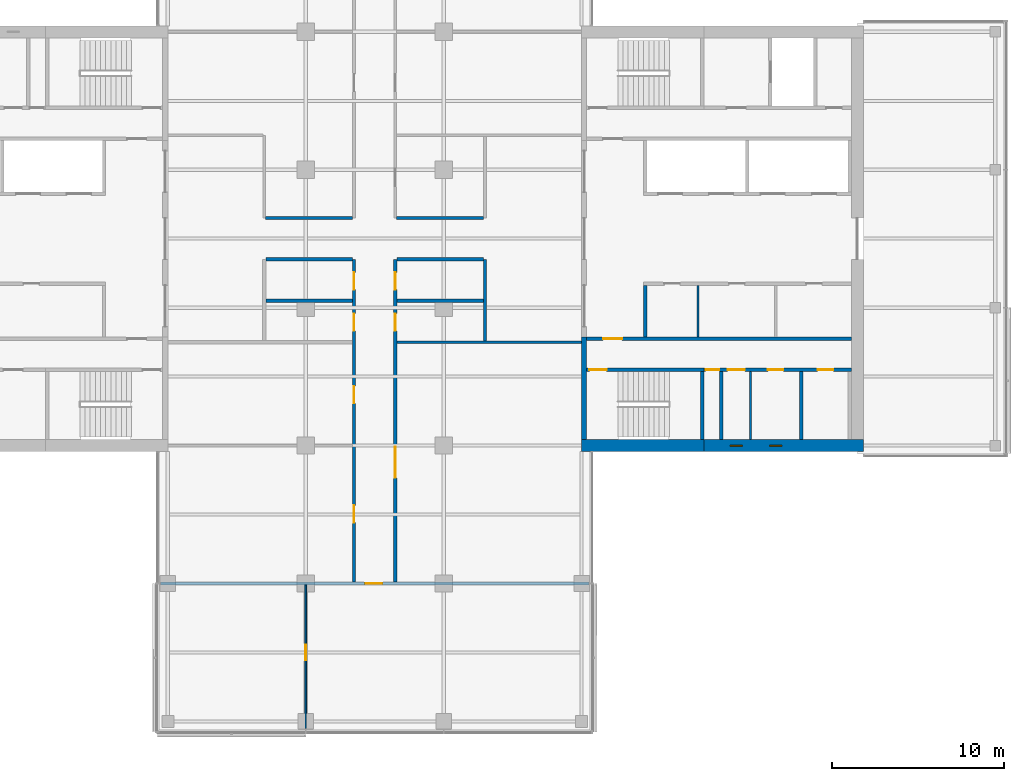
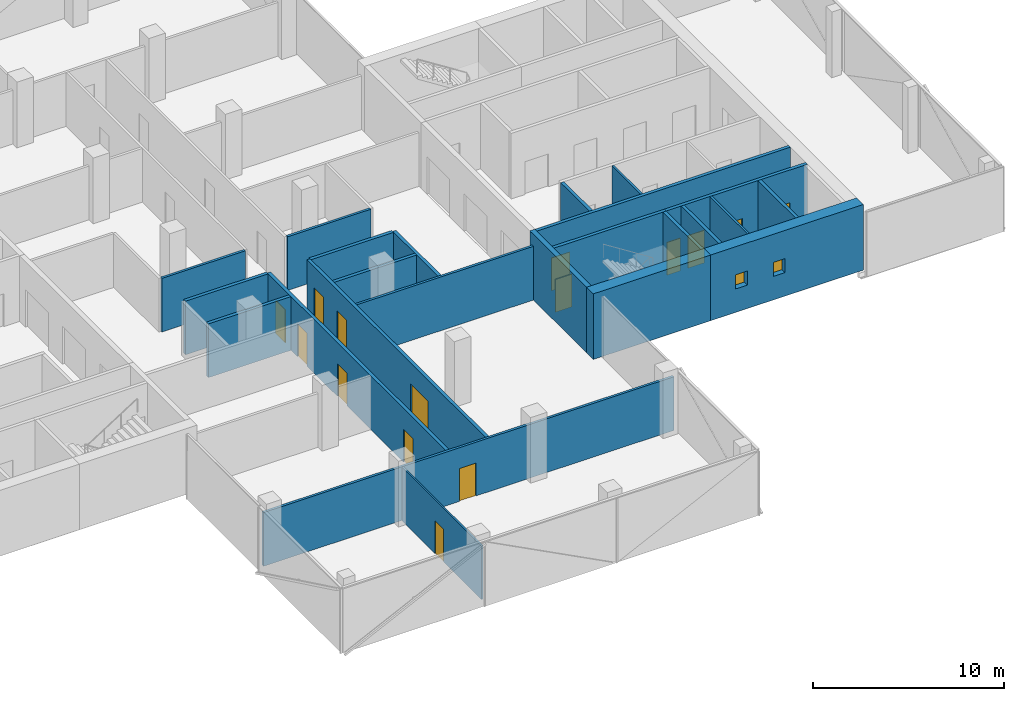
# One storey, part 14 of 22: 24 walls, 15 doors, 2 windows, 17 openings.
"""IFC4 building model written with IfcOpenShell, lengths in metres."""

from ifc_helpers import new_model, si_unit, direction, frame, frame_2d, origin, place, context, subcontext, project, spatial, rectangle, extrude, material, layer, layer_set, constituent, constituent_set, type_object, element, fill, save


model = new_model("IFC4")

# Units and contexts
model_context = context("Model", 3, precision=1e-05, world=origin(), true_north=direction((0.0, 1.0)))
body_context = subcontext(model_context, "Body", "Model", "MODEL_VIEW")
ifc_project = project(units=[si_unit("LENGTHUNIT", "METRE"), si_unit("AREAUNIT", "SQUARE_METRE"), si_unit("VOLUMEUNIT", "CUBIC_METRE"), si_unit("PLANEANGLEUNIT", "RADIAN"), si_unit("MASSUNIT", "GRAM", prefix="KILO")], contexts=[model_context])

# Site, building, storey
site_placement = place(None, origin())
site = spatial("IfcSite", under=ifc_project, at=site_placement, CompositionType="ELEMENT")
building_placement = place(site_placement, origin())
building = spatial("IfcBuilding", under=site, at=building_placement, Name="Crosswind Convention Tower", CompositionType="ELEMENT")
storey_placement = place(building_placement, frame((0.0, 0.0, 158.89990234375)))
storey = spatial("IfcBuildingStorey", under=building, at=storey_placement, Name="L33", CompositionType="ELEMENT", Elevation=158.89990234375)

# Wall
ifc_material_1 = material(Name="Concrete blockwork", Category="masonry")
ifc_layer_1 = layer(ifc_material_1, 0.199951171875)
ifc_layer_set_1 = layer_set([ifc_layer_1], Name="Blockwork partition wall 200")
wall_type_1 = type_object("IfcWallType", Name="Blockwork partition wall 200", PredefinedType="PARTITIONING", material=ifc_layer_set_1)
wall_1_placement = place(storey_placement, frame((145.10009765625, 88.35009765625, 0.0), z_axis=(0.0, 0.0, 1.0), x_axis=(0.0, 1.0, 0.0)))
element("IfcWall", 1, at=wall_1_placement, inside=storey, type_object=wall_type_1, Name="Wall MRSE E L33", PredefinedType="PARTITIONING", context=body_context, shape_type="SweptSolid", body=[
    extrude(rectangle(XDim=3.949951171875, YDim=0.199951171875, at=frame_2d((1.97509765625, 0.0))), origin(), (0.0, 0.0, 1.0), 4.2001953125),
])

# Wall, openings, doors
ifc_layer_2 = layer(ifc_material_1, 0.199951171875)
ifc_layer_set_2 = layer_set([ifc_layer_2], Name="COMPARTMENT WALL 200 BLOCKWORK")
wall_type_2 = type_object("IfcWallType", Name="COMPARTMENT WALL 200 BLOCKWORK", PredefinedType="SOLIDWALL", material=ifc_layer_set_2)
wall_2_placement = place(storey_placement, frame((123.800048828125, 80.074951171875, 0.0), z_axis=(0.0, 0.0, 1.0), x_axis=(0.0, 1.0, 0.0)))
wall_2 = element("IfcWall", 2, at=wall_2_placement, inside=storey, type_object=wall_type_2, Name="Compartment wall WT42", PredefinedType="SOLIDWALL", context=body_context, shape_type="SweptSolid", body=[
    extrude(rectangle(XDim=18.72509765625, YDim=0.199951171875, at=frame_2d((9.362548828125, 0.0))), origin(), (0.0, 0.0, 1.0), 3.4365234375),
])
opening_1_placement = place(wall_2_placement, frame((16.97509765625, 0.0, 0.0)))
opening_1 = element("IfcOpeningElement", 3, at=opening_1_placement, cuts=wall_2, Name="Opening L33-58", PredefinedType="OPENING", context=body_context, shape_type="SweptSolid", body=[
    extrude(rectangle(XDim=1.0, YDim=2.10009765625, at=frame_2d((0.5, 1.050048828125))), frame((0.0, 0.10986328125, 0.0), z_axis=(0.0, -1.0, 0.0), x_axis=(1.0, 0.0, 0.0)), (0.0, 0.0, 1.0), 0.219970703125),
])
opening_2_placement = place(wall_2_placement, frame((14.574951171875, 0.0, 0.0)))
opening_2 = element("IfcOpeningElement", 4, at=opening_2_placement, cuts=wall_2, Name="Opening L33-59", PredefinedType="OPENING", context=body_context, shape_type="SweptSolid", body=[
    extrude(rectangle(XDim=1.0, YDim=2.10009765625, at=frame_2d((0.5, 1.050048828125))), frame((0.0, 0.10986328125, 0.0), z_axis=(0.0, -1.0, 0.0), x_axis=(1.0, 0.0, 0.0)), (0.0, 0.0, 1.0), 0.219970703125),
])
opening_3_placement = place(wall_2_placement, frame((10.375, 0.0, 0.0)))
opening_3 = element("IfcOpeningElement", 5, at=opening_3_placement, cuts=wall_2, Name="Opening L33-60", PredefinedType="OPENING", context=body_context, shape_type="SweptSolid", body=[
    extrude(rectangle(XDim=1.0, YDim=2.10009765625, at=frame_2d((0.5, 1.050048828125))), frame((0.0, 0.10986328125, 0.0), z_axis=(0.0, -1.0, 0.0), x_axis=(1.0, 0.0, 0.0)), (0.0, 0.0, 1.0), 0.219970703125),
])
opening_4_placement = place(wall_2_placement, frame((3.449951171875, 0.0, 0.0)))
opening_4 = element("IfcOpeningElement", 6, at=opening_4_placement, cuts=wall_2, Name="Opening L33-61", PredefinedType="OPENING", context=body_context, shape_type="SweptSolid", body=[
    extrude(rectangle(XDim=1.0, YDim=2.10009765625, at=frame_2d((0.5, 1.050048828125))), frame((0.0, 0.10986328125, 0.0), z_axis=(0.0, -1.0, 0.0), x_axis=(1.0, 0.0, 0.0)), (0.0, 0.0, 1.0), 0.219970703125),
])
ifc_material_2 = material(Name="Steel fire door", Category="steel")
door_type_1 = type_object("IfcDoorType", Name="PLANT ROOM DOOR 1000X2100 FD60", OperationType="NOTDEFINED", PredefinedType="DOOR", material=ifc_material_2)
door_1_placement = place(opening_1_placement, origin())
door_1 = element("IfcDoor", 7, at=door_1_placement, inside=storey, type_object=door_type_1, Name="Door L33-58", ObjectType="D43", OperationType="SINGLE_SWING_LEFT", OverallHeight=2.10009765625, OverallWidth=1.0, PredefinedType="DOOR", context=body_context, shape_type="SweptSolid", body=[
    extrude(rectangle(XDim=1.0, YDim=2.10009765625, at=frame_2d((0.5, 1.050048828125))), frame((0.0, 0.02490234375, 0.0), z_axis=(0.0, -1.0, 0.0), x_axis=(1.0, 0.0, 0.0)), (0.0, 0.0, 1.0), 0.050048828125),
])
fill(opening_1, door_1)
door_2_placement = place(opening_2_placement, origin())
door_2 = element("IfcDoor", 8, at=door_2_placement, inside=storey, type_object=door_type_1, Name="Door L33-59", ObjectType="D43", OperationType="SINGLE_SWING_LEFT", OverallHeight=2.10009765625, OverallWidth=1.0, PredefinedType="DOOR", context=body_context, shape_type="SweptSolid", body=[
    extrude(rectangle(XDim=1.0, YDim=2.10009765625, at=frame_2d((0.5, 1.050048828125))), frame((0.0, 0.02490234375, 0.0), z_axis=(0.0, -1.0, 0.0), x_axis=(1.0, 0.0, 0.0)), (0.0, 0.0, 1.0), 0.050048828125),
])
fill(opening_2, door_2)
ifc_material_3 = material(Name="Timber fire door", Category="wood")
door_type_2 = type_object("IfcDoorType", Name="TENANCY ENTRANCE DOOR 1000X2100 FD30S", OperationType="NOTDEFINED", PredefinedType="DOOR", material=ifc_material_3)
door_3_placement = place(opening_3_placement, origin())
door_3 = element("IfcDoor", 9, at=door_3_placement, inside=storey, type_object=door_type_2, Name="Door L33-60", ObjectType="D41", OperationType="SINGLE_SWING_LEFT", OverallHeight=2.10009765625, OverallWidth=1.0, PredefinedType="DOOR", context=body_context, shape_type="SweptSolid", body=[
    extrude(rectangle(XDim=1.0, YDim=2.10009765625, at=frame_2d((0.5, 1.050048828125))), frame((0.0, 0.02490234375, 0.0), z_axis=(0.0, -1.0, 0.0), x_axis=(1.0, 0.0, 0.0)), (0.0, 0.0, 1.0), 0.050048828125),
])
fill(opening_3, door_3)
door_4_placement = place(opening_4_placement, origin())
door_4 = element("IfcDoor", 10, at=door_4_placement, inside=storey, type_object=door_type_2, Name="Door L33-61", ObjectType="D41", OperationType="SINGLE_SWING_RIGHT", OverallHeight=2.10009765625, OverallWidth=1.0, PredefinedType="DOOR", context=body_context, shape_type="SweptSolid", body=[
    extrude(rectangle(XDim=1.0, YDim=2.10009765625, at=frame_2d((0.5, 1.050048828125))), frame((0.0, 0.02490234375, 0.0), z_axis=(0.0, -1.0, 0.0), x_axis=(1.0, 0.0, 0.0)), (0.0, 0.0, 1.0), 0.050048828125),
])
fill(opening_4, door_4)

wall_3_placement = place(storey_placement, frame((126.199951171875, 80.074951171875, 0.0), z_axis=(0.0, 0.0, 1.0), x_axis=(0.0, 1.0, 0.0)))
wall_3 = element("IfcWall", 11, at=wall_3_placement, inside=storey, type_object=wall_type_2, Name="Compartment wall WT42", PredefinedType="SOLIDWALL", context=body_context, shape_type="SweptSolid", body=[
    extrude(rectangle(XDim=18.72509765625, YDim=0.199951171875, at=frame_2d((9.362548828125, 0.0))), origin(), (0.0, 0.0, 1.0), 3.4365234375),
])
opening_5_placement = place(wall_3_placement, frame((16.97509765625, 0.0, 0.0)))
opening_5 = element("IfcOpeningElement", 12, at=opening_5_placement, cuts=wall_3, Name="Opening L33-53", PredefinedType="OPENING", context=body_context, shape_type="SweptSolid", body=[
    extrude(rectangle(XDim=1.0, YDim=2.10009765625, at=frame_2d((0.5, 1.050048828125))), frame((0.0, 0.10986328125, 0.0), z_axis=(0.0, -1.0, 0.0), x_axis=(1.0, 0.0, 0.0)), (0.0, 0.0, 1.0), 0.219970703125),
])
opening_6_placement = place(wall_3_placement, frame((14.574951171875, 0.0, 0.0)))
opening_6 = element("IfcOpeningElement", 13, at=opening_6_placement, cuts=wall_3, Name="Opening L33-54", PredefinedType="OPENING", context=body_context, shape_type="SweptSolid", body=[
    extrude(rectangle(XDim=1.0, YDim=2.10009765625, at=frame_2d((0.5, 1.050048828125))), frame((0.0, 0.10986328125, 0.0), z_axis=(0.0, -1.0, 0.0), x_axis=(1.0, 0.0, 0.0)), (0.0, 0.0, 1.0), 0.219970703125),
])
opening_7_placement = place(wall_3_placement, frame((6.050048828125, 0.0, 0.0)))
opening_7 = element("IfcOpeningElement", 14, at=opening_7_placement, cuts=wall_3, Name="Opening L33-55", PredefinedType="OPENING", context=body_context, shape_type="SweptSolid", body=[
    extrude(rectangle(XDim=1.800048828125, YDim=2.10009765625, at=frame_2d((0.89990234375, 1.050048828125))), frame((0.0, 0.10986328125, 0.0), z_axis=(0.0, -1.0, 0.0), x_axis=(1.0, 0.0, 0.0)), (0.0, 0.0, 1.0), 0.219970703125),
])
door_5_placement = place(opening_5_placement, frame((1.0, 0.0, 0.0), z_axis=(0.0, 0.0, 1.0), x_axis=(-1.0, 0.0, 0.0)))
door_5 = element("IfcDoor", 15, at=door_5_placement, inside=storey, type_object=door_type_1, Name="Door L33-53", ObjectType="D43", OperationType="SINGLE_SWING_RIGHT", OverallHeight=2.10009765625, OverallWidth=1.0, PredefinedType="DOOR", context=body_context, shape_type="SweptSolid", body=[
    extrude(rectangle(XDim=1.0, YDim=2.10009765625, at=frame_2d((0.5, 1.050048828125))), frame((0.0, 0.02490234375, 0.0), z_axis=(0.0, -1.0, 0.0), x_axis=(1.0, 0.0, 0.0)), (0.0, 0.0, 1.0), 0.050048828125),
])
fill(opening_5, door_5)
door_6_placement = place(opening_6_placement, frame((1.0, 0.0, 0.0), z_axis=(0.0, 0.0, 1.0), x_axis=(-1.0, 0.0, 0.0)))
door_6 = element("IfcDoor", 16, at=door_6_placement, inside=storey, type_object=door_type_2, Name="Door L33-54", ObjectType="D41", OperationType="SINGLE_SWING_RIGHT", OverallHeight=2.10009765625, OverallWidth=1.0, PredefinedType="DOOR", context=body_context, shape_type="SweptSolid", body=[
    extrude(rectangle(XDim=1.0, YDim=2.10009765625, at=frame_2d((0.5, 1.050048828125))), frame((0.0, 0.02490234375, 0.0), z_axis=(0.0, -1.0, 0.0), x_axis=(1.0, 0.0, 0.0)), (0.0, 0.0, 1.0), 0.050048828125),
])
fill(opening_6, door_6)
door_type_3 = type_object("IfcDoorType", Name="TENANCY ENTRANCE DOUBLE DOOR 1800X2100 FD30S", OperationType="DOUBLE_DOOR_SINGLE_SWING", PredefinedType="DOOR", material=ifc_material_3)
door_7_placement = place(opening_7_placement, frame((1.800048828125, 0.0, 0.0), z_axis=(0.0, 0.0, 1.0), x_axis=(-1.0, 0.0, 0.0)))
door_7 = element("IfcDoor", 17, at=door_7_placement, inside=storey, type_object=door_type_3, Name="Door L33-55", ObjectType="D42", OperationType="DOUBLE_DOOR_SINGLE_SWING", OverallHeight=2.10009765625, OverallWidth=1.800048828125, PredefinedType="DOOR", context=body_context, shape_type="SweptSolid", body=[
    extrude(rectangle(XDim=1.800048828125, YDim=2.10009765625, at=frame_2d((0.89990234375, 1.050048828125))), frame((0.0, 0.02490234375, 0.0), z_axis=(0.0, -1.0, 0.0), x_axis=(1.0, 0.0, 0.0)), (0.0, 0.0, 1.0), 0.050048828125),
])
fill(opening_7, door_7)

# Walls
wall_4_placement = place(storey_placement, frame((131.39990234375, 94.074951171875, 0.0), z_axis=(0.0, 0.0, 1.0), x_axis=(0.0, 1.0, 0.0)))
element("IfcWall", 18, at=wall_4_placement, inside=storey, type_object=wall_type_2, Name="Compartment wall WT42", PredefinedType="SOLIDWALL", context=body_context, shape_type="SweptSolid", body=[
    extrude(rectangle(XDim=4.72509765625, YDim=0.199951171875, at=frame_2d((2.362548828125, 0.0))), origin(), (0.0, 0.0, 1.0), 3.4365234375),
])
for number, where, z_axis, x_axis, name in (
    (19, (118.699951171875, 96.39990234375, 0.0), (0.0, 0.0, 1.0), (1.0, 0.0, 0.0), "Compartment wall WT42"),
    (20, (126.300048828125, 96.39990234375, 0.0), (0.0, 0.0, 1.0), (1.0, 0.0, 0.0), "Compartment wall WT42"),
    (21, (118.699951171875, 98.800048828125, 0.0), (0.0, 0.0, 1.0), (1.0, 0.0, 0.0), "Compartment wall WT42"),
    (22, (126.300048828125, 98.800048828125, 0.0), (0.0, 0.0, 1.0), (1.0, 0.0, 0.0), "Compartment wall WT42"),
):
    element("IfcWall", number, at=place(storey_placement, frame(where, z_axis=z_axis, x_axis=x_axis)), inside=storey, type_object=wall_type_2, Name=name, PredefinedType="SOLIDWALL", context=body_context, shape_type="SweptSolid", body=[
        extrude(rectangle(XDim=5.0, YDim=0.199951171875, at=frame_2d((2.5, 0.0))), origin(), (0.0, 0.0, 1.0), 3.4365234375),
    ])
ifc_material_4 = material(Name="Concrete C50/60", Category="concrete")
ifc_layer_3 = layer(ifc_material_4, 0.300048828125)
ifc_layer_set_3 = layer_set([ifc_layer_3], Name="Concrete C50/60")
wall_type_3 = type_object("IfcWallType", Name="Concrete inner core wall 300", PredefinedType="SHEAR", material=ifc_layer_set_3)
wall_5_placement = place(storey_placement, frame((137.14990234375, 88.35009765625, 0.0), z_axis=(0.0, 0.0, 1.0), x_axis=(0.0, 1.0, 0.0)))
element("IfcWall", 23, at=wall_5_placement, inside=storey, type_object=wall_type_3, Name="Wall EM E L33", PredefinedType="SHEAR", context=body_context, shape_type="SweptSolid", body=[
    extrude(rectangle(XDim=5.949951171875, YDim=0.300048828125, at=frame_2d((2.97509765625, 0.0))), origin(), (0.0, 0.0, 1.0), 4.2001953125),
])
ifc_layer_4 = layer(ifc_material_4, 0.199951171875)
ifc_layer_set_4 = layer_set([ifc_layer_4], Name="Concrete C50/60")
wall_type_4 = type_object("IfcWallType", Name="Concrete shaft and stair wall 200", PredefinedType="SHEAR", material=ifc_layer_set_4)
wall_6_placement = place(storey_placement, frame((140.699951171875, 94.300048828125, 0.0), z_axis=(0.0, 0.0, 1.0), x_axis=(0.0, 1.0, 0.0)))
element("IfcWall", 24, at=wall_6_placement, inside=storey, type_object=wall_type_4, Name="Wall RMEND E L33", PredefinedType="SHEAR", context=body_context, shape_type="SweptSolid", body=[
    extrude(rectangle(XDim=3.0, YDim=0.199951171875, at=frame_2d((1.5, 0.0))), origin(), (0.0, 0.0, 1.0), 4.2001953125),
])

# Wall, opening, door
wall_7_placement = place(storey_placement, frame((137.300048828125, 94.199951171875, 0.0), z_axis=(0.0, 0.0, 1.0), x_axis=(1.0, 0.0, 0.0)))
wall_7 = element("IfcWall", 25, at=wall_7_placement, inside=storey, type_object=wall_type_4, Name="Wall HM E L33", PredefinedType="SHEAR", context=body_context, shape_type="SweptSolid", body=[
    extrude(rectangle(XDim=15.349853515625, YDim=0.199951171875, at=frame_2d((7.6748046875, 0.0))), origin(), (0.0, 0.0, 1.0), 4.2001953125),
])
opening_8_placement = place(wall_7_placement, frame((0.949951171875, 0.0, 0.0)))
opening_8 = element("IfcOpeningElement", 26, at=opening_8_placement, cuts=wall_7, Name="Opening D104", PredefinedType="OPENING", context=body_context, shape_type="SweptSolid", body=[
    extrude(rectangle(XDim=1.10009765625, YDim=2.10009765625, at=frame_2d((0.550048828125, 1.050048828125))), frame((0.0, 0.10986328125, 0.0), z_axis=(0.0, -1.0, 0.0), x_axis=(1.0, 0.0, 0.0)), (0.0, 0.0, 1.0), 0.219970703125),
])
door_type_4 = type_object("IfcDoorType", Name="Fire-rated single door 1100x2100", OperationType="NOTDEFINED", PredefinedType="DOOR", material=ifc_material_2)
door_8_placement = place(opening_8_placement, origin())
door_8 = element("IfcDoor", 27, at=door_8_placement, inside=storey, type_object=door_type_4, Name="Corridor door L33", ObjectType="D104", OperationType="SINGLE_SWING_LEFT", OverallHeight=2.10009765625, OverallWidth=1.10009765625, PredefinedType="DOOR", context=body_context, shape_type="SweptSolid", body=[
    extrude(rectangle(XDim=1.10009765625, YDim=2.10009765625, at=frame_2d((0.550048828125, 1.050048828125))), frame((0.0, 0.02490234375, 0.0), z_axis=(0.0, -1.0, 0.0), x_axis=(1.0, 0.0, 0.0)), (0.0, 0.0, 1.0), 0.050048828125),
])
fill(opening_8, door_8)

# Walls
for number, where, z_axis, x_axis, name in (
    (28, (144.0, 88.35009765625, 0.0), (0.0, 0.0, 1.0), (0.0, 1.0, 0.0), "Wall MSE E L33"),
    (29, (149.75, 88.35009765625, 0.0), (0.0, 0.0, 1.0), (0.0, 1.0, 0.0), "Wall MFSW E L33"),
):
    element("IfcWall", number, at=place(storey_placement, frame(where, z_axis=z_axis, x_axis=x_axis)), inside=storey, type_object=wall_type_4, Name=name, PredefinedType="SHEAR", context=body_context, shape_type="SweptSolid", body=[
        extrude(rectangle(XDim=3.949951171875, YDim=0.199951171875, at=frame_2d((1.97509765625, 0.0))), origin(), (0.0, 0.0, 1.0), 4.2001953125),
    ])

# Wall, opening, door
wall_8_placement = place(storey_placement, frame((137.300048828125, 92.39990234375, 0.0), z_axis=(0.0, 0.0, 1.0), x_axis=(1.0, 0.0, 0.0)))
wall_8 = element("IfcWall", 30, at=wall_8_placement, inside=storey, type_object=wall_type_4, Name="Wall MCW E L33", PredefinedType="SHEAR", context=body_context, shape_type="SweptSolid", body=[
    extrude(rectangle(XDim=6.800048828125, YDim=0.199951171875, at=frame_2d((3.39990234375, 0.0))), origin(), (0.0, 0.0, 1.0), 4.2001953125),
])
opening_9_placement = place(wall_8_placement, frame((0.14990234375, 0.0, 0.0)))
opening_9 = element("IfcOpeningElement", 31, at=opening_9_placement, cuts=wall_8, Name="Opening D103", PredefinedType="OPENING", context=body_context, shape_type="SweptSolid", body=[
    extrude(rectangle(XDim=1.0, YDim=2.10009765625, at=frame_2d((0.5, 1.050048828125))), frame((0.0, 0.10986328125, 0.0), z_axis=(0.0, -1.0, 0.0), x_axis=(1.0, 0.0, 0.0)), (0.0, 0.0, 1.0), 0.219970703125),
])
door_type_5 = type_object("IfcDoorType", Name="Fire-rated single door 1000x2100", OperationType="NOTDEFINED", PredefinedType="DOOR", material=ifc_material_2)
door_9_placement = place(opening_9_placement, frame((1.0, 0.0, 0.0), z_axis=(0.0, 0.0, 1.0), x_axis=(-1.0, 0.0, 0.0)))
door_9 = element("IfcDoor", 32, at=door_9_placement, inside=storey, type_object=door_type_5, Name="Stair ST2 door L33", ObjectType="D103", OperationType="SINGLE_SWING_RIGHT", OverallHeight=2.10009765625, OverallWidth=1.0, PredefinedType="DOOR", context=body_context, shape_type="SweptSolid", body=[
    extrude(rectangle(XDim=1.0, YDim=2.10009765625, at=frame_2d((0.5, 1.050048828125))), frame((0.0, 0.02490234375, 0.0), z_axis=(0.0, -1.0, 0.0), x_axis=(1.0, 0.0, 0.0)), (0.0, 0.0, 1.0), 0.050048828125),
])
fill(opening_9, door_9)

# Wall, openings, doors
wall_9_placement = place(storey_placement, frame((144.10009765625, 92.39990234375, 0.0), z_axis=(0.0, 0.0, 1.0), x_axis=(1.0, 0.0, 0.0)))
wall_9 = element("IfcWall", 33, at=wall_9_placement, inside=storey, type_object=wall_type_4, Name="Wall MCX E L33", PredefinedType="SHEAR", context=body_context, shape_type="SweptSolid", body=[
    extrude(rectangle(XDim=8.5498046875, YDim=0.199951171875, at=frame_2d((4.27490234375, 0.0))), origin(), (0.0, 0.0, 1.0), 4.2001953125),
])
opening_10_placement = place(wall_9_placement, frame((0.10009765625, 0.0, 0.0)))
opening_10 = element("IfcOpeningElement", 34, at=opening_10_placement, cuts=wall_9, Name="Opening D105", PredefinedType="OPENING", context=body_context, shape_type="SweptSolid", body=[
    extrude(rectangle(XDim=0.800048828125, YDim=2.10009765625, at=frame_2d((0.39990234375, 1.050048828125))), frame((0.0, 0.10986328125, 0.0), z_axis=(0.0, -1.0, 0.0), x_axis=(1.0, 0.0, 0.0)), (0.0, 0.0, 1.0), 0.219970703125),
])
opening_11_placement = place(wall_9_placement, frame((1.36962890625, 0.0, 0.0)))
opening_11 = element("IfcOpeningElement", 35, at=opening_11_placement, cuts=wall_9, Name="Opening D103", PredefinedType="OPENING", context=body_context, shape_type="SweptSolid", body=[
    extrude(rectangle(XDim=1.0, YDim=2.10009765625, at=frame_2d((0.5, 1.050048828125))), frame((0.0, 0.10986328125, 0.0), z_axis=(0.0, -1.0, 0.0), x_axis=(1.0, 0.0, 0.0)), (0.0, 0.0, 1.0), 0.219970703125),
])
opening_12_placement = place(wall_9_placement, frame((3.707275390625, 0.0, 0.0)))
opening_12 = element("IfcOpeningElement", 36, at=opening_12_placement, cuts=wall_9, Name="Opening D106", PredefinedType="OPENING", context=body_context, shape_type="SweptSolid", body=[
    extrude(rectangle(XDim=0.89990234375, YDim=2.10009765625, at=frame_2d((0.449951171875, 1.050048828125))), frame((0.0, 0.10986328125, 0.0), z_axis=(0.0, -1.0, 0.0), x_axis=(1.0, 0.0, 0.0)), (0.0, 0.0, 1.0), 0.219970703125),
])
opening_13_placement = place(wall_9_placement, frame((6.60009765625, 0.0, 0.0)))
opening_13 = element("IfcOpeningElement", 37, at=opening_13_placement, cuts=wall_9, Name="Opening D106", PredefinedType="OPENING", context=body_context, shape_type="SweptSolid", body=[
    extrude(rectangle(XDim=0.89990234375, YDim=2.10009765625, at=frame_2d((0.449951171875, 1.050048828125))), frame((0.0, 0.10986328125, 0.0), z_axis=(0.0, -1.0, 0.0), x_axis=(1.0, 0.0, 0.0)), (0.0, 0.0, 1.0), 0.219970703125),
])
door_10_placement = place(opening_11_placement, frame((1.0, 0.0, 0.0), z_axis=(0.0, 0.0, 1.0), x_axis=(-1.0, 0.0, 0.0)))
door_10 = element("IfcDoor", 38, at=door_10_placement, inside=storey, type_object=door_type_5, Name="Door to accessible wc L33", ObjectType="D103", OperationType="SINGLE_SWING_LEFT", OverallHeight=2.10009765625, OverallWidth=1.0, PredefinedType="DOOR", context=body_context, shape_type="SweptSolid", body=[
    extrude(rectangle(XDim=1.0, YDim=2.10009765625, at=frame_2d((0.5, 1.050048828125))), frame((0.0, 0.02490234375, 0.0), z_axis=(0.0, -1.0, 0.0), x_axis=(1.0, 0.0, 0.0)), (0.0, 0.0, 1.0), 0.050048828125),
])
fill(opening_11, door_10)
door_type_6 = type_object("IfcDoorType", Name="Riser access door 800x2100", OperationType="NOTDEFINED", PredefinedType="DOOR", material=ifc_material_2)
door_11_placement = place(opening_10_placement, frame((0.800048828125, 0.0, 0.0), z_axis=(0.0, 0.0, 1.0), x_axis=(-1.0, 0.0, 0.0)))
door_11 = element("IfcDoor", 39, at=door_11_placement, inside=storey, type_object=door_type_6, Name="Riser door L33", ObjectType="D105", OperationType="SINGLE_SWING_LEFT", OverallHeight=2.10009765625, OverallWidth=0.800048828125, PredefinedType="DOOR", context=body_context, shape_type="SweptSolid", body=[
    extrude(rectangle(XDim=0.800048828125, YDim=2.10009765625, at=frame_2d((0.39990234375, 1.050048828125))), frame((0.0, 0.02490234375, 0.0), z_axis=(0.0, -1.0, 0.0), x_axis=(1.0, 0.0, 0.0)), (0.0, 0.0, 1.0), 0.050048828125),
])
fill(opening_10, door_11)
ifc_material_5 = material(Name="Timber door", Category="wood")
door_type_7 = type_object("IfcDoorType", Name="Single leaf door 900x2100", OperationType="NOTDEFINED", PredefinedType="DOOR", material=ifc_material_5)
door_12_placement = place(opening_12_placement, frame((0.89990234375, 0.0, 0.0), z_axis=(0.0, 0.0, 1.0), x_axis=(-1.0, 0.0, 0.0)))
door_12 = element("IfcDoor", 40, at=door_12_placement, inside=storey, type_object=door_type_7, Name="Door to wc L33", ObjectType="D106", OperationType="SINGLE_SWING_LEFT", OverallHeight=2.10009765625, OverallWidth=0.89990234375, PredefinedType="DOOR", context=body_context, shape_type="SweptSolid", body=[
    extrude(rectangle(XDim=0.89990234375, YDim=2.10009765625, at=frame_2d((0.449951171875, 1.050048828125))), frame((0.0, 0.02490234375, 0.0), z_axis=(0.0, -1.0, 0.0), x_axis=(1.0, 0.0, 0.0)), (0.0, 0.0, 1.0), 0.050048828125),
])
fill(opening_12, door_12)
door_13_placement = place(opening_13_placement, frame((0.89990234375, 0.0, 0.0), z_axis=(0.0, 0.0, 1.0), x_axis=(-1.0, 0.0, 0.0)))
door_13 = element("IfcDoor", 41, at=door_13_placement, inside=storey, type_object=door_type_7, Name="Door to wc L33", ObjectType="D106", OperationType="SINGLE_SWING_LEFT", OverallHeight=2.10009765625, OverallWidth=0.89990234375, PredefinedType="DOOR", context=body_context, shape_type="SweptSolid", body=[
    extrude(rectangle(XDim=0.89990234375, YDim=2.10009765625, at=frame_2d((0.449951171875, 1.050048828125))), frame((0.0, 0.02490234375, 0.0), z_axis=(0.0, -1.0, 0.0), x_axis=(1.0, 0.0, 0.0)), (0.0, 0.0, 1.0), 0.050048828125),
])
fill(opening_13, door_13)

# Walls
ifc_material_6 = material(Name="Gypsum plasterboard partition", Category="gypsum")
ifc_layer_5 = layer(ifc_material_6, 0.125)
ifc_layer_set_5 = layer_set([ifc_layer_5], Name="Drywall partition wall 125")
wall_type_5 = type_object("IfcWallType", Name="Drywall partition wall 125", PredefinedType="PARTITIONING", material=ifc_layer_set_5)
wall_10_placement = place(storey_placement, frame((143.762451171875, 94.300048828125, 0.0), z_axis=(0.0, 0.0, 1.0), x_axis=(0.0, 1.0, 0.0)))
element("IfcWall", 42, at=wall_10_placement, inside=storey, type_object=wall_type_5, Name="Wall RMP1 E L33", PredefinedType="PARTITIONING", context=body_context, shape_type="SweptSolid", body=[
    extrude(rectangle(XDim=3.0, YDim=0.125, at=frame_2d((1.5, 0.0))), origin(), (0.0, 0.0, 1.0), 4.2001953125),
])
wall_11_placement = place(storey_placement, frame((146.802001953125, 88.35009765625, 0.0), z_axis=(0.0, 0.0, 1.0), x_axis=(0.0, 1.0, 0.0)))
element("IfcWall", 43, at=wall_11_placement, inside=storey, type_object=wall_type_5, Name="Wall MWP1 E L33", PredefinedType="PARTITIONING", context=body_context, shape_type="SweptSolid", body=[
    extrude(rectangle(XDim=3.949951171875, YDim=0.125, at=frame_2d((1.97509765625, 0.0))), origin(), (0.0, 0.0, 1.0), 4.2001953125),
])

# Wall, opening, door
ifc_material_7 = material(Name="Plasterboard partition", Category="gypsum")
ifc_layer_6 = layer(ifc_material_7, 0.10009765625)
ifc_layer_set_6 = layer_set([ifc_layer_6], Name="PARTITION 100 METAL STUD")
wall_type_6 = type_object("IfcWallType", Name="PARTITION 100 METAL STUD", PredefinedType="PARTITIONING", material=ifc_layer_set_6)
wall_12_placement = place(storey_placement, frame((121.0, 71.580078125, 0.0), z_axis=(0.0, 0.0, 1.0), x_axis=(0.0, 1.0, 0.0)))
wall_12 = element("IfcWall", 44, at=wall_12_placement, inside=storey, type_object=wall_type_6, Name="Partition wall WT40", PredefinedType="PARTITIONING", context=body_context, shape_type="SweptSolid", body=[
    extrude(rectangle(XDim=8.344970703125, YDim=0.10009765625, at=frame_2d((4.17236328125, 0.0))), origin(), (0.0, 0.0, 1.0), 3.4365234375),
])
opening_14_placement = place(wall_12_placement, frame((3.969970703125, 0.0, 0.0)))
opening_14 = element("IfcOpeningElement", 45, at=opening_14_placement, cuts=wall_12, Name="Opening L33-65", PredefinedType="OPENING", context=body_context, shape_type="SweptSolid", body=[
    extrude(rectangle(XDim=0.89990234375, YDim=2.10009765625, at=frame_2d((0.449951171875, 1.050048828125))), frame((0.0, 0.06005859375, 0.0), z_axis=(0.0, -1.0, 0.0), x_axis=(1.0, 0.0, 0.0)), (0.0, 0.0, 1.0), 0.1201171875),
])
door_type_8 = type_object("IfcDoorType", Name="INTERNAL DOOR 900X2100", OperationType="NOTDEFINED", PredefinedType="DOOR", material=ifc_material_5)
door_14_placement = place(opening_14_placement, origin())
door_14 = element("IfcDoor", 46, at=door_14_placement, inside=storey, type_object=door_type_8, Name="Door L33-65", ObjectType="D40", OperationType="SINGLE_SWING_RIGHT", OverallHeight=2.10009765625, OverallWidth=0.89990234375, PredefinedType="DOOR", context=body_context, shape_type="SweptSolid", body=[
    extrude(rectangle(XDim=0.89990234375, YDim=2.10009765625, at=frame_2d((0.449951171875, 1.050048828125))), frame((0.0, 0.02490234375, 0.0), z_axis=(0.0, -1.0, 0.0), x_axis=(1.0, 0.0, 0.0)), (0.0, 0.0, 1.0), 0.050048828125),
])
fill(opening_14, door_14)

ifc_material_8 = material(Name="Fire-board partition with mineral wool", Category="gypsum")
ifc_layer_7 = layer(ifc_material_8, 0.14990234375)
ifc_layer_set_7 = layer_set([ifc_layer_7], Name="TENANCY WALL 150 TWO-HOUR BOARD")
wall_type_7 = type_object("IfcWallType", Name="TENANCY WALL 150 TWO-HOUR BOARD", PredefinedType="PARTITIONING", material=ifc_layer_set_7)
wall_13_placement = place(storey_placement, frame((112.580078125, 80.0, 0.0), z_axis=(0.0, 0.0, 1.0), x_axis=(1.0, 0.0, 0.0)))
wall_13 = element("IfcWall", 47, at=wall_13_placement, inside=storey, type_object=wall_type_7, Name="Tenancy wall WT41", PredefinedType="PARTITIONING", context=body_context, shape_type="SweptSolid", body=[
    extrude(rectangle(XDim=24.83984375, YDim=0.14990234375, at=frame_2d((12.419921875, 0.0))), origin(), (0.0, 0.0, 1.0), 3.4365234375),
])
opening_15_placement = place(wall_13_placement, frame((11.8701171875, 0.0, 0.0)))
opening_15 = element("IfcOpeningElement", 48, at=opening_15_placement, cuts=wall_13, Name="Opening L33-64", PredefinedType="OPENING", context=body_context, shape_type="SweptSolid", body=[
    extrude(rectangle(XDim=1.0, YDim=2.10009765625, at=frame_2d((0.5, 1.050048828125))), frame((0.0, 0.0849609375, 0.0), z_axis=(0.0, -1.0, 0.0), x_axis=(1.0, 0.0, 0.0)), (0.0, 0.0, 1.0), 0.169921875),
])
door_15_placement = place(opening_15_placement, frame((1.0, 0.0, 0.0), z_axis=(0.0, 0.0, 1.0), x_axis=(-1.0, 0.0, 0.0)))
door_15 = element("IfcDoor", 49, at=door_15_placement, inside=storey, type_object=door_type_2, Name="Door L33-64", ObjectType="D41", OperationType="SINGLE_SWING_RIGHT", OverallHeight=2.10009765625, OverallWidth=1.0, PredefinedType="DOOR", context=body_context, shape_type="SweptSolid", body=[
    extrude(rectangle(XDim=1.0, YDim=2.10009765625, at=frame_2d((0.5, 1.050048828125))), frame((0.0, 0.02490234375, 0.0), z_axis=(0.0, -1.0, 0.0), x_axis=(1.0, 0.0, 0.0)), (0.0, 0.0, 1.0), 0.050048828125),
])
fill(opening_15, door_15)

# Walls
wall_14_placement = place(storey_placement, frame((126.300048828125, 94.0, 0.0), z_axis=(0.0, 0.0, 1.0), x_axis=(1.0, 0.0, 0.0)))
element("IfcWall", 50, at=wall_14_placement, inside=storey, type_object=wall_type_7, Name="Tenancy wall WT41", PredefinedType="PARTITIONING", context=body_context, shape_type="SweptSolid", body=[
    extrude(rectangle(XDim=10.699951171875, YDim=0.14990234375, at=frame_2d((5.35009765625, 0.0))), origin(), (0.0, 0.0, 1.0), 3.4365234375),
])
for number, where, z_axis, x_axis, name in (
    (51, (118.675048828125, 101.199951171875, 0.0), (0.0, 0.0, 1.0), (1.0, 0.0, 0.0), "Tenancy wall WT41"),
    (52, (126.27490234375, 101.199951171875, 0.0), (0.0, 0.0, 1.0), (1.0, 0.0, 0.0), "Tenancy wall WT41"),
):
    element("IfcWall", number, at=place(storey_placement, frame(where, z_axis=z_axis, x_axis=x_axis)), inside=storey, type_object=wall_type_7, Name=name, PredefinedType="PARTITIONING", context=body_context, shape_type="SweptSolid", body=[
        extrude(rectangle(XDim=5.050048828125, YDim=0.14990234375, at=frame_2d((2.52490234375, 0.0))), origin(), (0.0, 0.0, 1.0), 3.4365234375),
    ])
ifc_material_9 = material(Name="Concrete C60/75", Category="concrete")
ifc_constituent_1 = constituent(ifc_material_9, Name="Structure")
ifc_material_10 = material(Name="Terracotta rainscreen", Category="ceramic")
ifc_constituent_2 = constituent(ifc_material_10, Name="Facing")
ifc_constituent_set = constituent_set(constituents=[ifc_constituent_1, ifc_constituent_2], Name="Concrete C60/75, Terracotta rainscreen")
wall_type_8 = type_object("IfcWallType", Name="Terracotta rainscreen on concrete core wall 700", PredefinedType="SHEAR", material=ifc_constituent_set)
wall_15_placement = place(storey_placement, frame((137.0, 88.0, 0.0), z_axis=(0.0, 0.0, 1.0), x_axis=(1.0, 0.0, 0.0)))
element("IfcWall", 53, at=wall_15_placement, inside=storey, type_object=wall_type_8, Name="Wall S1 E L33", PredefinedType="SHEAR", context=body_context, shape_type="SweptSolid", body=[
    extrude(rectangle(XDim=7.10009765625, YDim=0.699951171875, at=frame_2d((3.550048828125, 0.0))), origin(), (0.0, 0.0, 1.0), 4.2001953125),
])

# Wall, openings, windows
wall_16_placement = place(storey_placement, frame((144.10009765625, 88.0, 0.0), z_axis=(0.0, 0.0, 1.0), x_axis=(1.0, 0.0, 0.0)))
wall_16 = element("IfcWall", 54, at=wall_16_placement, inside=storey, type_object=wall_type_8, Name="Wall S2 E L33", PredefinedType="SHEAR", context=body_context, shape_type="SweptSolid", body=[
    extrude(rectangle(XDim=9.25, YDim=0.699951171875, at=frame_2d((4.625, 0.0))), origin(), (0.0, 0.0, 1.0), 4.2001953125),
])
opening_16_placement = place(wall_16_placement, frame((1.519775390625, 0.0, 1.5)))
opening_16 = element("IfcOpeningElement", 55, at=opening_16_placement, cuts=wall_16, Name="Opening W2", PredefinedType="OPENING", context=body_context, shape_type="SweptSolid", body=[
    extrude(rectangle(XDim=0.699951171875, YDim=0.89990234375, at=frame_2d((0.35009765625, 0.449951171875))), frame((0.0, 0.35986328125, 0.0), z_axis=(0.0, -1.0, 0.0), x_axis=(1.0, 0.0, 0.0)), (0.0, 0.0, 1.0), 0.719970703125),
])
opening_17_placement = place(wall_16_placement, frame((3.80712890625, 0.0, 1.5)))
opening_17 = element("IfcOpeningElement", 56, at=opening_17_placement, cuts=wall_16, Name="Opening W2", PredefinedType="OPENING", context=body_context, shape_type="SweptSolid", body=[
    extrude(rectangle(XDim=0.699951171875, YDim=0.89990234375, at=frame_2d((0.35009765625, 0.449951171875))), frame((0.0, 0.35986328125, 0.0), z_axis=(0.0, -1.0, 0.0), x_axis=(1.0, 0.0, 0.0)), (0.0, 0.0, 1.0), 0.719970703125),
])
ifc_material_11 = material(Name="Obscure glass in aluminium frame", Category="aluminium")
window_type = type_object("IfcWindowType", Name="WC window 700x900", PartitioningType="SINGLE_PANEL", PredefinedType="WINDOW", material=ifc_material_11)
window_1_placement = place(opening_16_placement, origin())
window_1 = element("IfcWindow", 57, at=window_1_placement, inside=storey, type_object=window_type, Name="WC window L33", ObjectType="W2", OverallHeight=0.89990234375, OverallWidth=0.699951171875, PartitioningType="SINGLE_PANEL", PredefinedType="WINDOW", context=body_context, shape_type="SweptSolid", body=[
    extrude(rectangle(XDim=0.699951171875, YDim=0.89990234375, at=frame_2d((0.35009765625, 0.449951171875))), frame((0.0, 0.030029296875, 0.0), z_axis=(0.0, -1.0, 0.0), x_axis=(1.0, 0.0, 0.0)), (0.0, 0.0, 1.0), 0.06005859375),
])
fill(opening_16, window_1)
window_2_placement = place(opening_17_placement, origin())
window_2 = element("IfcWindow", 58, at=window_2_placement, inside=storey, type_object=window_type, Name="WC window L33", ObjectType="W2", OverallHeight=0.89990234375, OverallWidth=0.699951171875, PartitioningType="SINGLE_PANEL", PredefinedType="WINDOW", context=body_context, shape_type="SweptSolid", body=[
    extrude(rectangle(XDim=0.699951171875, YDim=0.89990234375, at=frame_2d((0.35009765625, 0.449951171875))), frame((0.0, 0.030029296875, 0.0), z_axis=(0.0, -1.0, 0.0), x_axis=(1.0, 0.0, 0.0)), (0.0, 0.0, 1.0), 0.06005859375),
])
fill(opening_17, window_2)

save(model, "model.ifc")
